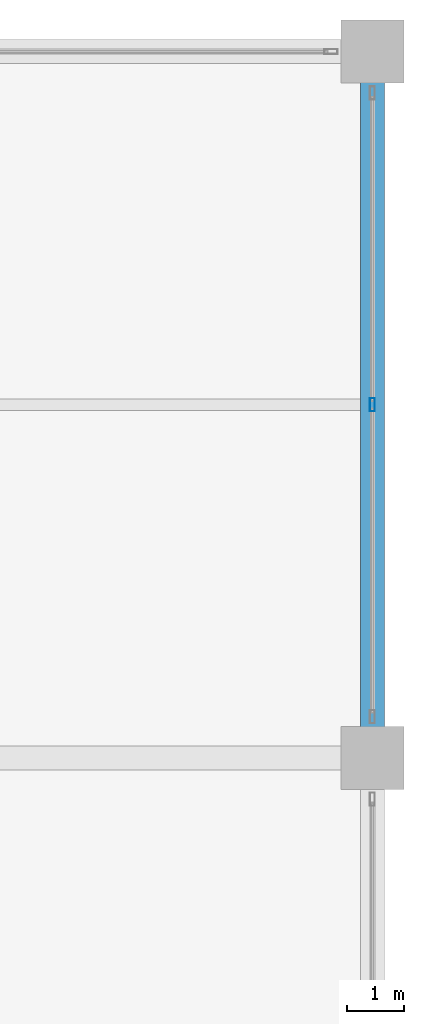
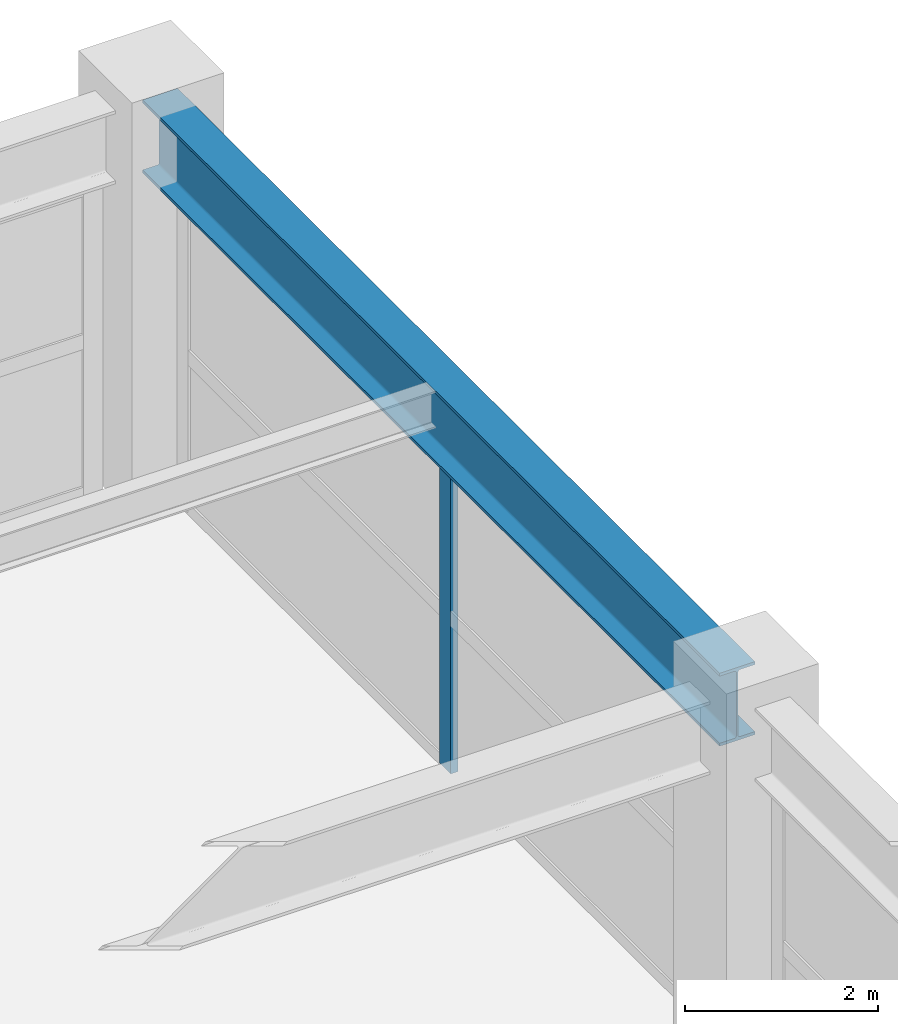
# One storey, part 31 of 43: 1 beam, 1 member, 1 element without a shape of its own.
"""IFC4 building model written with IfcOpenShell, lengths in metres."""

from ifc_helpers import new_model, si_unit, direction, frame, origin, origin_2d, place, context, subcontext, project, spatial, hollow_rectangle, i_section, extrude, material, material_profile, profile_set, type_object, element, aggregate, save


model = new_model("IFC4")

# Units and contexts
model_context = context("Model", 3, precision=1e-05, world=origin(), true_north=direction((0.0, 1.0)))
body_context = subcontext(model_context, "Body", "Model", "MODEL_VIEW")
ifc_project = project(units=[si_unit("LENGTHUNIT", "METRE"), si_unit("AREAUNIT", "SQUARE_METRE"), si_unit("VOLUMEUNIT", "CUBIC_METRE"), si_unit("PLANEANGLEUNIT", "RADIAN"), si_unit("MASSUNIT", "GRAM", prefix="KILO")], contexts=[model_context])

# Site, building, storey
site_placement = place(None, origin())
site = spatial("IfcSite", under=ifc_project, at=site_placement, CompositionType="ELEMENT")
building_placement = place(site_placement, origin())
building = spatial("IfcBuilding", under=site, at=building_placement, Name="Kovane Verandah Tower", CompositionType="ELEMENT")
storey_placement = place(building_placement, frame((0.0, 0.0, 11.199951171875)))
storey = spatial("IfcBuildingStorey", under=building, at=storey_placement, Name="L02", CompositionType="ELEMENT", Elevation=11.199951171875)

# Beam
ifc_material_1 = material(Name="Steel S460", Category="steel")
ifc_material_profile_1 = material_profile(ifc_material_1, i_section(OverallWidth=0.42041015625, OverallDepth=0.9208984375, WebThickness=0.021484375, FlangeThickness=0.03662109375, FilletRadius=0.024169921875, at=origin_2d()), Name="UB914x419x388")
ifc_profile_set_1 = profile_set([ifc_material_profile_1], Name="Steel S460")
beam_type = type_object("IfcBeamType", Name="BM-UB914x388", PredefinedType="BEAM", material=ifc_profile_set_1)
beam_placement = place(storey_placement, frame((82.0, 44.3798828125, 4.439453125), z_axis=(0.0, 1.0, 0.0), x_axis=(-1.0, 0.0, 0.0)))
element("IfcBeam", 1, at=beam_placement, inside=storey, type_object=beam_type, Name="L02 Podium Grid Girder Y43", PredefinedType="BEAM", context=body_context, shape_type="SweptSolid", body=[
    extrude(i_section(OverallWidth=0.42041015625, OverallDepth=0.9208984375, WebThickness=0.021484375, FlangeThickness=0.03662109375, FilletRadius=0.024169921875, at=origin_2d()), origin(), (0.0, 0.0, 1.0), 11.940185546875),
])

# Curtain wall, member
ifc_material_2 = material(Name="Champagne Anodised Aluminium Frame with Low-E Clear Laminated Glass", Category="aluminium")
curtain_wall_type = type_object("IfcCurtainWallType", Name="CW-SYS-01-POD", PredefinedType="NOTDEFINED", material=ifc_material_2)
curtain_wall_placement = place(storey_placement, origin())
curtain_wall = element("IfcCurtainWall", 2, at=curtain_wall_placement, inside=storey, type_object=curtain_wall_type, Name="L02 East Podium Curtain Wall Bay 5", PredefinedType="NOTDEFINED")
ifc_material_3 = material(Name="Champagne Anodised Aluminium 6063-T6", Category="aluminium")
ifc_material_profile_2 = material_profile(ifc_material_3, hollow_rectangle(XDim=0.0849609375, YDim=0.22998046875, WallThickness=0.00390625, at=origin_2d()), Name="AL85x230x4")
ifc_profile_set_2 = profile_set([ifc_material_profile_2], Name="Champagne Anodised Aluminium 6063-T6")
member_type = type_object("IfcMemberType", Name="CW-MUL-85x230", PredefinedType="MULLION", material=ifc_profile_set_2)
member_placement = place(storey_placement, frame((82.0, 50.35009765625, 0.02001953125), z_axis=(0.0, 0.0, 1.0), x_axis=(1.0, 0.0, 0.0)))
member = element("IfcMember", 3, at=member_placement, type_object=member_type, Name="L02 East Podium Curtain Wall Bay 5 Mullion 2", PredefinedType="MULLION", context=body_context, shape_type="SweptSolid", body=[
    extrude(hollow_rectangle(XDim=0.0849609375, YDim=0.22998046875, WallThickness=0.00390625, at=origin_2d()), origin(), (0.0, 0.0, 1.0), 3.9189453125),
])
aggregate(curtain_wall, [member])

save(model, "model.ifc")
